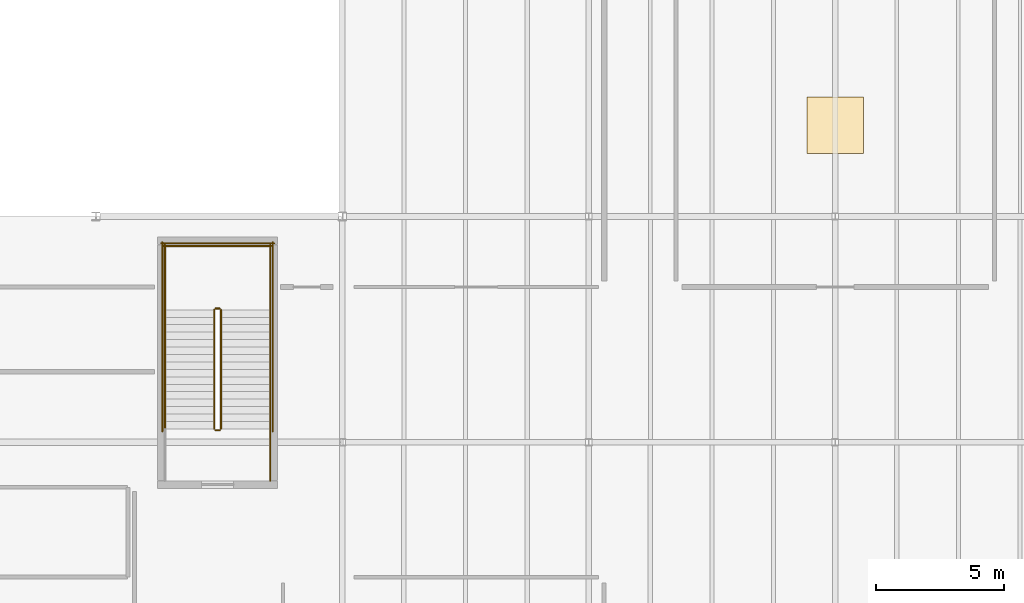
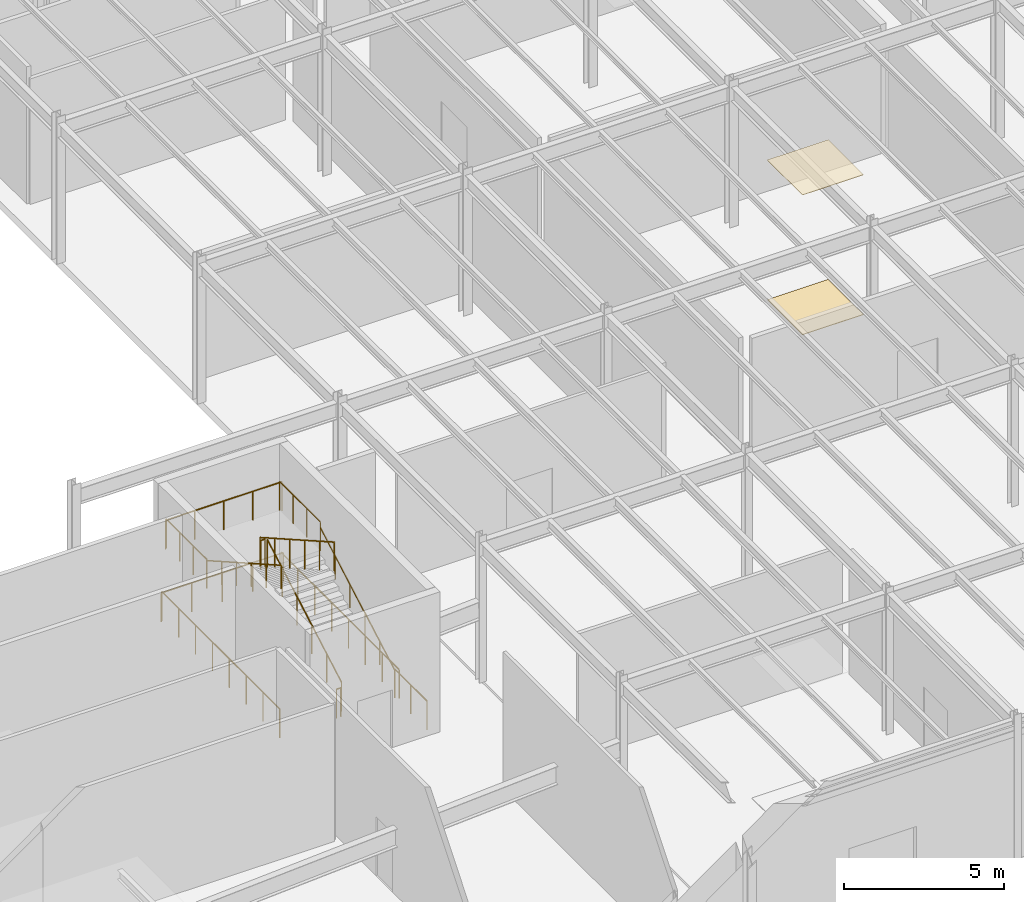
# One storey, part 58 of 70: 13 railings, 2 coverings.
"""IFC4 building model written with IfcOpenShell, lengths in metres."""

from ifc_helpers import new_model, si_unit, direction, frame, origin, origin_2d, place, context, subcontext, project, spatial, rectangle, circle, extrude, material, layer, layer_set, type_object, element, save


model = new_model("IFC4")

# Units and contexts
model_context = context("Model", 3, precision=1e-05, world=origin(), true_north=direction((0.0, 1.0)))
body_context = subcontext(model_context, "Body", "Model", "MODEL_VIEW")
ifc_project = project(units=[si_unit("LENGTHUNIT", "METRE"), si_unit("AREAUNIT", "SQUARE_METRE"), si_unit("VOLUMEUNIT", "CUBIC_METRE"), si_unit("PLANEANGLEUNIT", "RADIAN"), si_unit("MASSUNIT", "GRAM", prefix="KILO")], contexts=[model_context])

# Site, building, storey
site_placement = place(None, origin())
site = spatial("IfcSite", under=ifc_project, at=site_placement, CompositionType="ELEMENT")
building_placement = place(site_placement, origin())
building = spatial("IfcBuilding", under=site, at=building_placement, Name="Sarnbrook Museum", CompositionType="ELEMENT")
storey_placement = place(building_placement, origin())
storey = spatial("IfcBuildingStorey", under=building, at=storey_placement, Name="L00", CompositionType="ELEMENT", Elevation=0.0)

# Coverings
ifc_material_1 = material(Name="Fire-Rated Acoustic Gypsum Plasterboard")
ifc_layer_1 = layer(ifc_material_1, 0.01806640625)
ifc_layer_set_1 = layer_set([ifc_layer_1], Name="Fire-Rated Acoustic Gypsum Plasterboard")
covering_type_1 = type_object("IfcCoveringType", Name="Ceil_Acoustic18", PredefinedType="CEILING", material=ifc_layer_set_1)
covering_1_placement = place(storey_placement, frame((100.0, 33.955078125, 5.33203125), z_axis=(0.0, 0.0, 1.0), x_axis=(1.0, 0.0, 0.0)))
element("IfcCovering", 1, at=covering_1_placement, inside=storey, type_object=covering_type_1, Name="Acoustic Ceiling Baffle Panel L00-06", PredefinedType="CEILING", context=body_context, shape_type="SweptSolid", body=[
    extrude(rectangle(XDim=2.199951171875, YDim=2.199951171875, at=origin_2d()), origin(), (0.0, 0.0, 1.0), 0.01806640625),
])
ifc_material_2 = material(Name="Honed Bluestone and Marble Terrazzo Flooring", Category="masonry")
ifc_layer_2 = layer(ifc_material_2, 0.02001953125)
ifc_layer_set_2 = layer_set([ifc_layer_2], Name="Honed Bluestone and Marble Terrazzo Flooring")
covering_type_2 = type_object("IfcCoveringType", Name="Floor_Terrazzo20", PredefinedType="FLOORING", material=ifc_layer_set_2)
covering_2_placement = place(storey_placement, frame((100.0, 33.955078125, 0.0), z_axis=(0.0, 0.0, 1.0), x_axis=(1.0, 0.0, 0.0)))
element("IfcCovering", 2, at=covering_2_placement, inside=storey, type_object=covering_type_2, Name="Gallery Floor Finish Panel L00-06", PredefinedType="FLOORING", context=body_context, shape_type="SweptSolid", body=[
    extrude(rectangle(XDim=2.199951171875, YDim=2.199951171875, at=origin_2d()), origin(), (0.0, 0.0, 1.0), 0.02001953125),
])

# Railings
ifc_material_3 = material(Name="Brushed Stainless Steel Grade 316", Category="steel")
ifc_layer_3 = layer(ifc_material_3, 0.050048828125)
ifc_layer_set_3 = layer_set([ifc_layer_3], Name="Brushed Stainless Steel Grade 316")
railing_type_1 = type_object("IfcRailingType", Name="Guard_Int1120", PredefinedType="BALUSTRADE", material=ifc_layer_set_3)
railing_1_placement = place(storey_placement, frame((76.070068359375, 22.1201171875, 0.164794921875)))
element("IfcRailing", 3, at=railing_1_placement, inside=storey, type_object=railing_type_1, Name="L00 ST8 stair guard 1", PredefinedType="BALUSTRADE", context=body_context, shape_type="SweptSolid", body=[
    extrude(circle(Radius=0.02392578125, at=origin_2d()), frame((0.0, 0.0, 1.09619140625), z_axis=(0.0, 0.869540958685, 0.493860831783), x_axis=(-1.0, 0.0, 0.0)), (0.0, 0.0, 1.0), 5.3359375),
    extrude(circle(Radius=0.02099609375, at=origin_2d()), origin(), (0.0, 0.0, 1.0), 1.072021484375),
    extrude(circle(Radius=0.02099609375, at=origin_2d()), frame((0.0, 0.927978515625, 0.527099609375)), (0.0, 0.0, 1.0), 1.072021484375),
    extrude(circle(Radius=0.02099609375, at=origin_2d()), frame((0.0, 1.85595703125, 1.05419921875)), (0.0, 0.0, 1.0), 1.072021484375),
    extrude(circle(Radius=0.02099609375, at=origin_2d()), frame((0.0, 2.783935546875, 1.5810546875)), (0.0, 0.0, 1.0), 1.072021484375),
    extrude(circle(Radius=0.02099609375, at=origin_2d()), frame((0.0, 3.7119140625, 2.108154296875)), (0.0, 0.0, 1.0), 1.072021484375),
    extrude(circle(Radius=0.02099609375, at=origin_2d()), frame((0.0, 4.639892578125, 2.63525390625)), (0.0, 0.0, 1.0), 1.072021484375),
])
railing_2_placement = place(storey_placement, frame((76.02001953125, 26.81005859375, 2.800048828125)))
element("IfcRailing", 4, at=railing_2_placement, inside=storey, type_object=railing_type_1, Name="L00 ST8 stair guard 2", PredefinedType="BALUSTRADE", context=body_context, shape_type="SweptSolid", body=[
    extrude(circle(Radius=0.02392578125, at=origin_2d()), frame((0.0, 0.0, 1.09619140625), z_axis=(-1.0, 0.0, 0.0), x_axis=(0.0, -1.0, 0.0)), (0.0, 0.0, 1.0), 0.159912109375),
    extrude(circle(Radius=0.02099609375, at=origin_2d()), origin(), (0.0, 0.0, 1.0), 1.072021484375),
    extrude(circle(Radius=0.02099609375, at=origin_2d()), frame((-0.159912109375, 0.0, 0.0)), (0.0, 0.0, 1.0), 1.072021484375),
])
for number, where, name in (
    (5, (77.989990234375, 26.760009765625, 2.800048828125), "L00 ST8 stair guard 3"),
    (6, (73.889892578125, 26.760009765625, 2.800048828125), "L00 ST8 stair guard 4"),
):
    element("IfcRailing", number, at=place(storey_placement, frame(where)), inside=storey, type_object=railing_type_1, Name=name, PredefinedType="BALUSTRADE", context=body_context, shape_type="SweptSolid", body=[
        extrude(circle(Radius=0.02392578125, at=origin_2d()), frame((0.0, 0.0, 1.09619140625), z_axis=(0.0, 1.0, 0.0), x_axis=(-1.0, 0.0, 0.0)), (0.0, 0.0, 1.0), 2.5400390625),
        extrude(circle(Radius=0.02099609375, at=origin_2d()), origin(), (0.0, 0.0, 1.0), 1.072021484375),
        extrude(circle(Radius=0.02099609375, at=origin_2d()), frame((0.0, 0.8466796875, 0.0)), (0.0, 0.0, 1.0), 1.072021484375),
        extrude(circle(Radius=0.02099609375, at=origin_2d()), frame((0.0, 1.693359375, 0.0)), (0.0, 0.0, 1.0), 1.072021484375),
        extrude(circle(Radius=0.02099609375, at=origin_2d()), frame((0.0, 2.5400390625, 0.0)), (0.0, 0.0, 1.0), 1.072021484375),
    ])
railing_3_placement = place(storey_placement, frame((78.0400390625, 29.25, 2.800048828125)))
element("IfcRailing", 7, at=railing_3_placement, inside=storey, type_object=railing_type_1, Name="L00 ST8 stair guard 5", PredefinedType="BALUSTRADE", context=body_context, shape_type="SweptSolid", body=[
    extrude(circle(Radius=0.02392578125, at=origin_2d()), frame((0.0, 0.0, 1.09619140625), z_axis=(-1.0, 0.0, 0.0), x_axis=(0.0, -1.0, 0.0)), (0.0, 0.0, 1.0), 4.199951171875),
    extrude(circle(Radius=0.02099609375, at=origin_2d()), origin(), (0.0, 0.0, 1.0), 1.072021484375),
    extrude(circle(Radius=0.02099609375, at=origin_2d()), frame((-1.050048828125, 0.0, 0.0)), (0.0, 0.0, 1.0), 1.072021484375),
    extrude(circle(Radius=0.02099609375, at=origin_2d()), frame((-2.10009765625, 0.0, 0.0)), (0.0, 0.0, 1.0), 1.072021484375),
    extrude(circle(Radius=0.02099609375, at=origin_2d()), frame((-3.14990234375, 0.0, 0.0)), (0.0, 0.0, 1.0), 1.072021484375),
    extrude(circle(Radius=0.02099609375, at=origin_2d()), frame((-4.199951171875, 0.0, 0.0)), (0.0, 0.0, 1.0), 1.072021484375),
])
railing_4_placement = place(storey_placement, frame((75.81005859375, 26.760009765625, 2.964599609375)))
element("IfcRailing", 8, at=railing_4_placement, inside=storey, type_object=railing_type_1, Name="L00 ST8 stair guard 6", PredefinedType="BALUSTRADE", context=body_context, shape_type="SweptSolid", body=[
    extrude(circle(Radius=0.02392578125, at=origin_2d()), frame((0.0, 0.0, 1.09619140625), z_axis=(0.0, -0.869521310511, 0.493895424728), x_axis=(1.0, 0.0, 0.0)), (0.0, 0.0, 1.0), 5.336181640625),
    extrude(circle(Radius=0.02099609375, at=origin_2d()), origin(), (0.0, 0.0, 1.0), 1.072021484375),
    extrude(circle(Radius=0.02099609375, at=origin_2d()), frame((0.0, -0.927978515625, 0.527099609375)), (0.0, 0.0, 1.0), 1.072021484375),
    extrude(circle(Radius=0.02099609375, at=origin_2d()), frame((0.0, -1.85595703125, 1.05419921875)), (0.0, 0.0, 1.0), 1.072021484375),
    extrude(circle(Radius=0.02099609375, at=origin_2d()), frame((0.0, -2.783935546875, 1.581298828125)), (0.0, 0.0, 1.0), 1.072021484375),
    extrude(circle(Radius=0.02099609375, at=origin_2d()), frame((0.0, -3.7119140625, 2.1083984375)), (0.0, 0.0, 1.0), 1.072021484375),
    extrude(circle(Radius=0.02099609375, at=origin_2d()), frame((0.0, -4.639892578125, 2.635498046875)), (0.0, 0.0, 1.0), 1.072021484375),
])
railing_5_placement = place(storey_placement, frame((76.02001953125, 22.070068359375, 0.0)))
element("IfcRailing", 9, at=railing_5_placement, inside=storey, type_object=railing_type_1, Name="L00 ST8 stair guard 7", PredefinedType="BALUSTRADE", context=body_context, shape_type="SweptSolid", body=[
    extrude(circle(Radius=0.02392578125, at=origin_2d()), frame((0.0, 0.0, 1.09619140625), z_axis=(-1.0, 0.0, 0.0), x_axis=(0.0, -1.0, 0.0)), (0.0, 0.0, 1.0), 0.159912109375),
    extrude(circle(Radius=0.02099609375, at=origin_2d()), origin(), (0.0, 0.0, 1.0), 1.072021484375),
    extrude(circle(Radius=0.02099609375, at=origin_2d()), frame((-0.159912109375, 0.0, 0.0)), (0.0, 0.0, 1.0), 1.072021484375),
])
railing_6_placement = place(storey_placement, frame((77.989990234375, 20.10009765625, 0.0)))
element("IfcRailing", 10, at=railing_6_placement, inside=storey, type_object=railing_type_1, Name="L00 ST8 stair guard 8", PredefinedType="BALUSTRADE", context=body_context, shape_type="SweptSolid", body=[
    extrude(circle(Radius=0.02392578125, at=origin_2d()), frame((0.0, 0.0, 1.09619140625), z_axis=(0.0, 1.0, 0.0), x_axis=(-1.0, 0.0, 0.0)), (0.0, 0.0, 1.0), 2.02001953125),
    extrude(circle(Radius=0.02099609375, at=origin_2d()), origin(), (0.0, 0.0, 1.0), 1.072021484375),
    extrude(circle(Radius=0.02099609375, at=origin_2d()), frame((0.0, 1.010009765625, 0.0)), (0.0, 0.0, 1.0), 1.072021484375),
    extrude(circle(Radius=0.02099609375, at=origin_2d()), frame((0.0, 2.02001953125, 0.0)), (0.0, 0.0, 1.0), 1.072021484375),
])
for number, where, name in (
    (11, (78.090087890625, 22.02001953125, 0.0), "L00 ST8 stair guard 10"),
    (12, (73.7900390625, 22.02001953125, 0.0), "L00 ST8 stair guard 11"),
):
    element("IfcRailing", number, at=place(storey_placement, frame(where)), inside=storey, type_object=railing_type_1, Name=name, PredefinedType="BALUSTRADE", context=body_context, shape_type="SweptSolid", body=[
        extrude(circle(Radius=0.02392578125, at=origin_2d()), frame((0.0, 0.0, 1.09619140625), z_axis=(0.0, 1.0, 0.0), x_axis=(-1.0, 0.0, 0.0)), (0.0, 0.0, 1.0), 7.3798828125),
        extrude(circle(Radius=0.02099609375, at=origin_2d()), origin(), (0.0, 0.0, 1.0), 1.072021484375),
        extrude(circle(Radius=0.02099609375, at=origin_2d()), frame((0.0, 1.05419921875, 0.0)), (0.0, 0.0, 1.0), 1.072021484375),
        extrude(circle(Radius=0.02099609375, at=origin_2d()), frame((0.0, 2.108642578125, 0.0)), (0.0, 0.0, 1.0), 1.072021484375),
        extrude(circle(Radius=0.02099609375, at=origin_2d()), frame((0.0, 3.162841796875, 0.0)), (0.0, 0.0, 1.0), 1.072021484375),
        extrude(circle(Radius=0.02099609375, at=origin_2d()), frame((0.0, 4.217041015625, 0.0)), (0.0, 0.0, 1.0), 1.072021484375),
        extrude(circle(Radius=0.02099609375, at=origin_2d()), frame((0.0, 5.271240234375, 0.0)), (0.0, 0.0, 1.0), 1.072021484375),
        extrude(circle(Radius=0.02099609375, at=origin_2d()), frame((0.0, 6.32568359375, 0.0)), (0.0, 0.0, 1.0), 1.072021484375),
        extrude(circle(Radius=0.02099609375, at=origin_2d()), frame((0.0, 7.3798828125, 0.0)), (0.0, 0.0, 1.0), 1.072021484375),
    ])
railing_7_placement = place(storey_placement, frame((78.139892578125, 29.35009765625, 0.0)))
element("IfcRailing", 13, at=railing_7_placement, inside=storey, type_object=railing_type_1, Name="L00 ST8 stair guard 12", PredefinedType="BALUSTRADE", context=body_context, shape_type="SweptSolid", body=[
    extrude(circle(Radius=0.02392578125, at=origin_2d()), frame((0.0, 0.0, 1.09619140625), z_axis=(-1.0, 0.0, 0.0), x_axis=(0.0, -1.0, 0.0)), (0.0, 0.0, 1.0), 4.39990234375),
    extrude(circle(Radius=0.02099609375, at=origin_2d()), origin(), (0.0, 0.0, 1.0), 1.072021484375),
    extrude(circle(Radius=0.02099609375, at=origin_2d()), frame((-1.10009765625, 0.0, 0.0)), (0.0, 0.0, 1.0), 1.072021484375),
    extrude(circle(Radius=0.02099609375, at=origin_2d()), frame((-2.199951171875, 0.0, 0.0)), (0.0, 0.0, 1.0), 1.072021484375),
    extrude(circle(Radius=0.02099609375, at=origin_2d()), frame((-3.2998046875, 0.0, 0.0)), (0.0, 0.0, 1.0), 1.072021484375),
    extrude(circle(Radius=0.02099609375, at=origin_2d()), frame((-4.39990234375, 0.0, 0.0)), (0.0, 0.0, 1.0), 1.072021484375),
])
ifc_layer_4 = layer(ifc_material_3, 0.048095703125)
ifc_layer_set_4 = layer_set([ifc_layer_4], Name="Brushed Stainless Steel Grade 316")
railing_type_2 = type_object("IfcRailingType", Name="Handrail_920", PredefinedType="HANDRAIL", material=ifc_layer_set_4)
railing_8_placement = place(storey_placement, frame((77.989990234375, 22.1201171875, 0.164794921875)))
element("IfcRailing", 14, at=railing_8_placement, inside=storey, type_object=railing_type_2, Name="L00 ST8 stair handrail 1", PredefinedType="HANDRAIL", context=body_context, shape_type="SweptSolid", body=[
    extrude(circle(Radius=0.02392578125, at=origin_2d()), frame((0.0, 0.0, 0.8857421875), z_axis=(0.0, 0.869540958685, 0.493860831783), x_axis=(-1.0, 0.0, 0.0)), (0.0, 0.0, 1.0), 5.3359375),
    extrude(circle(Radius=0.02099609375, at=origin_2d()), origin(), (0.0, 0.0, 1.0), 0.86181640625),
    extrude(circle(Radius=0.02099609375, at=origin_2d()), frame((0.0, 0.927978515625, 0.527099609375)), (0.0, 0.0, 1.0), 0.86181640625),
    extrude(circle(Radius=0.02099609375, at=origin_2d()), frame((0.0, 1.85595703125, 1.05419921875)), (0.0, 0.0, 1.0), 0.86181640625),
    extrude(circle(Radius=0.02099609375, at=origin_2d()), frame((0.0, 2.783935546875, 1.5810546875)), (0.0, 0.0, 1.0), 0.86181640625),
    extrude(circle(Radius=0.02099609375, at=origin_2d()), frame((0.0, 3.7119140625, 2.108154296875)), (0.0, 0.0, 1.0), 0.86181640625),
    extrude(circle(Radius=0.02099609375, at=origin_2d()), frame((0.0, 4.639892578125, 2.63525390625)), (0.0, 0.0, 1.0), 0.86181640625),
])
railing_9_placement = place(storey_placement, frame((73.889892578125, 26.760009765625, 2.964599609375)))
element("IfcRailing", 15, at=railing_9_placement, inside=storey, type_object=railing_type_2, Name="L00 ST8 stair handrail 2", PredefinedType="HANDRAIL", context=body_context, shape_type="SweptSolid", body=[
    extrude(circle(Radius=0.02392578125, at=origin_2d()), frame((0.0, 0.0, 0.8857421875), z_axis=(0.0, -0.869521310511, 0.493895424728), x_axis=(1.0, 0.0, 0.0)), (0.0, 0.0, 1.0), 5.336181640625),
    extrude(circle(Radius=0.02099609375, at=origin_2d()), origin(), (0.0, 0.0, 1.0), 0.86181640625),
    extrude(circle(Radius=0.02099609375, at=origin_2d()), frame((0.0, -0.927978515625, 0.527099609375)), (0.0, 0.0, 1.0), 0.86181640625),
    extrude(circle(Radius=0.02099609375, at=origin_2d()), frame((0.0, -1.85595703125, 1.05419921875)), (0.0, 0.0, 1.0), 0.86181640625),
    extrude(circle(Radius=0.02099609375, at=origin_2d()), frame((0.0, -2.783935546875, 1.581298828125)), (0.0, 0.0, 1.0), 0.86181640625),
    extrude(circle(Radius=0.02099609375, at=origin_2d()), frame((0.0, -3.7119140625, 2.1083984375)), (0.0, 0.0, 1.0), 0.86181640625),
    extrude(circle(Radius=0.02099609375, at=origin_2d()), frame((0.0, -4.639892578125, 2.635498046875)), (0.0, 0.0, 1.0), 0.86181640625),
])

save(model, "model.ifc")
